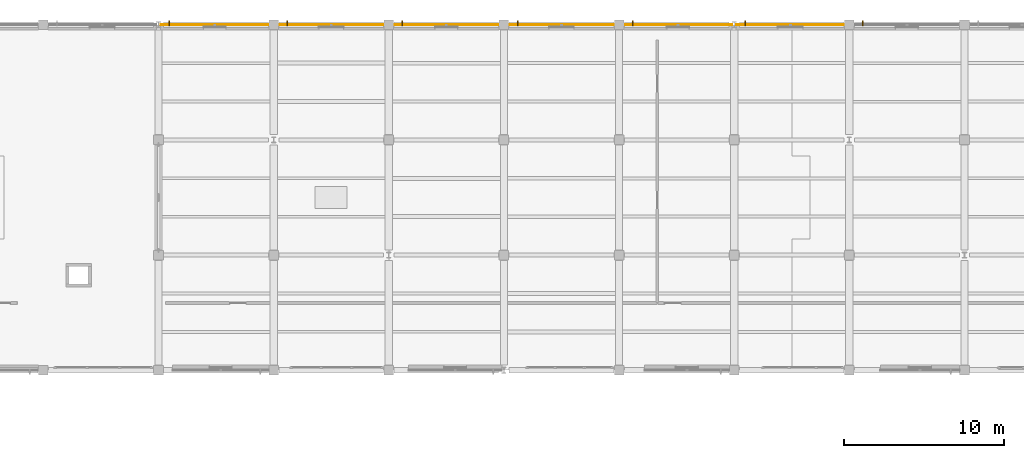
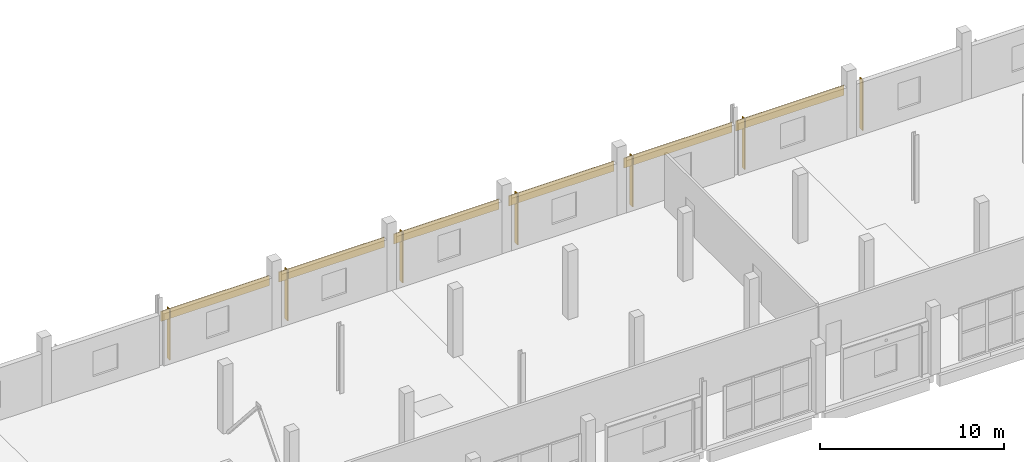
# One storey, part 117 of 123: 7 shading devices, 6 coverings.
"""IFC4 building model written with IfcOpenShell, lengths in metres."""

from ifc_helpers import new_model, si_unit, direction, frame, origin, origin_2d, place, context, subcontext, project, spatial, rectangle, extrude, material, layer, layer_set, type_object, element, save


model = new_model("IFC4")

# Units and contexts
model_context = context("Model", 3, precision=1e-05, world=origin(), true_north=direction((0.0, 1.0)))
body_context = subcontext(model_context, "Body", "Model", "MODEL_VIEW")
ifc_project = project(units=[si_unit("LENGTHUNIT", "METRE"), si_unit("AREAUNIT", "SQUARE_METRE"), si_unit("VOLUMEUNIT", "CUBIC_METRE"), si_unit("PLANEANGLEUNIT", "RADIAN"), si_unit("MASSUNIT", "GRAM", prefix="KILO")], contexts=[model_context])

# Site, building, storey
site_placement = place(None, origin())
site = spatial("IfcSite", under=ifc_project, at=site_placement, CompositionType="ELEMENT")
building_placement = place(site_placement, origin())
building = spatial("IfcBuilding", under=site, at=building_placement, Name="Kalmorath City Hall", CompositionType="ELEMENT")
storey_placement = place(building_placement, frame((0.0, 0.0, 10.199951171875)))
storey = spatial("IfcBuildingStorey", under=building, at=storey_placement, Name="L02", CompositionType="ELEMENT", Elevation=10.199951171875)

# Shading devices
ifc_material_1 = material(Name="Bronze anodised aluminium", Category="aluminium")
ifc_layer_1 = layer(ifc_material_1, 0.06005859375)
ifc_layer_set_1 = layer_set([ifc_layer_1], Name="Bronze anodised aluminium")
shading_device_type = type_object("IfcShadingDeviceType", Name="Bronze vertical solar fin 320", PredefinedType="USERDEFINED", material=ifc_layer_set_1)
shading_device_1_placement = place(storey_placement, frame((65.47802734375, 115.300048828125, 0.050048828125), z_axis=(0.0, 0.0, 1.0), x_axis=(1.0, 0.0, 0.0)))
element("IfcShadingDevice", 1, at=shading_device_1_placement, inside=storey, type_object=shading_device_type, Name="L02 bronze solar fin #230", ObjectType="FIN", PredefinedType="USERDEFINED", context=body_context, shape_type="SweptSolid", body=[
    extrude(rectangle(XDim=0.06005859375, YDim=0.320068359375, at=origin_2d()), origin(), (0.0, 0.0, 1.0), 3.35107421875),
])
for number, where, z_axis, x_axis, name in (
    (2, (72.85107421875, 115.300048828125, 0.050048828125), (0.0, 0.0, 1.0), (1.0, 0.0, 0.0), "L02 bronze solar fin #231"),
    (3, (80.051025390625, 115.300048828125, 0.050048828125), (0.0, 0.0, 1.0), (1.0, 0.0, 0.0), "L02 bronze solar fin #232"),
    (4, (87.2509765625, 115.300048828125, 0.050048828125), (0.0, 0.0, 1.0), (1.0, 0.0, 0.0), "L02 bronze solar fin #233"),
):
    element("IfcShadingDevice", number, at=place(storey_placement, frame(where, z_axis=z_axis, x_axis=x_axis)), inside=storey, type_object=shading_device_type, Name=name, ObjectType="FIN", PredefinedType="USERDEFINED", context=body_context, shape_type="SweptSolid", body=[
        extrude(rectangle(XDim=0.06005859375, YDim=0.320068359375, at=origin_2d()), origin(), (0.0, 0.0, 1.0), 3.37109375),
    ])
for number, where, z_axis, x_axis, name in (
    (5, (94.450927734375, 115.300048828125, 0.050048828125), (0.0, 0.0, 1.0), (1.0, 0.0, 0.0), "L02 bronze solar fin #234"),
    (6, (101.47802734375, 115.300048828125, 0.050048828125), (0.0, 0.0, 1.0), (1.0, 0.0, 0.0), "L02 bronze solar fin #235"),
):
    element("IfcShadingDevice", number, at=place(storey_placement, frame(where, z_axis=z_axis, x_axis=x_axis)), inside=storey, type_object=shading_device_type, Name=name, ObjectType="FIN", PredefinedType="USERDEFINED", context=body_context, shape_type="SweptSolid", body=[
        extrude(rectangle(XDim=0.06005859375, YDim=0.320068359375, at=origin_2d()), origin(), (0.0, 0.0, 1.0), 3.35107421875),
    ])
shading_device_2_placement = place(storey_placement, frame((108.85107421875, 115.300048828125, 0.050048828125), z_axis=(0.0, 0.0, 1.0), x_axis=(1.0, 0.0, 0.0)))
element("IfcShadingDevice", 7, at=shading_device_2_placement, inside=storey, type_object=shading_device_type, Name="L02 bronze solar fin #236", ObjectType="FIN", PredefinedType="USERDEFINED", context=body_context, shape_type="SweptSolid", body=[
    extrude(rectangle(XDim=0.06005859375, YDim=0.320068359375, at=origin_2d()), origin(), (0.0, 0.0, 1.0), 3.37109375),
])

# Coverings
ifc_material_2 = material(Name="Volcanic basalt stone cladding", Category="masonry")
ifc_layer_2 = layer(ifc_material_2, 0.06005859375)
ifc_layer_set_2 = layer_set([ifc_layer_2], Name="Volcanic basalt stone cladding")
covering_type = type_object("IfcCoveringType", Name="Volcanic basalt stone rainscreen cladding", PredefinedType="CLADDING", material=ifc_layer_set_2)
covering_placement = place(storey_placement, frame((68.3134765625, 115.205078125, 2.776123046875), z_axis=(0.0, 0.0, 1.0), x_axis=(1.0, 0.0, 0.0)))
element("IfcCovering", 8, at=covering_placement, inside=storey, type_object=covering_type, Name="L02 basalt spandrel cladding #44", PredefinedType="CLADDING", context=body_context, shape_type="SweptSolid", body=[
    extrude(rectangle(XDim=6.77099609375, YDim=0.06005859375, at=origin_2d()), origin(), (0.0, 0.0, 1.0), 0.64990234375),
])
for number, where, z_axis, x_axis, name in (
    (9, (75.60009765625, 115.205078125, 2.796142578125), (0.0, 0.0, 1.0), (1.0, 0.0, 0.0), "L02 basalt spandrel cladding #45"),
    (10, (82.800048828125, 115.205078125, 2.796142578125), (0.0, 0.0, 1.0), (1.0, 0.0, 0.0), "L02 basalt spandrel cladding #46"),
    (11, (90.0, 115.205078125, 2.796142578125), (0.0, 0.0, 1.0), (1.0, 0.0, 0.0), "L02 basalt spandrel cladding #47"),
):
    element("IfcCovering", number, at=place(storey_placement, frame(where, z_axis=z_axis, x_axis=x_axis)), inside=storey, type_object=covering_type, Name=name, PredefinedType="CLADDING", context=body_context, shape_type="SweptSolid", body=[
        extrude(rectangle(XDim=6.597900390625, YDim=0.06005859375, at=origin_2d()), origin(), (0.0, 0.0, 1.0), 0.64990234375),
    ])
for number, where, z_axis, x_axis, name in (
    (12, (97.28662109375, 115.205078125, 2.776123046875), (0.0, 0.0, 1.0), (1.0, 0.0, 0.0), "L02 basalt spandrel cladding #48"),
    (13, (104.3134765625, 115.205078125, 2.776123046875), (0.0, 0.0, 1.0), (1.0, 0.0, 0.0), "L02 basalt spandrel cladding #49"),
):
    element("IfcCovering", number, at=place(storey_placement, frame(where, z_axis=z_axis, x_axis=x_axis)), inside=storey, type_object=covering_type, Name=name, PredefinedType="CLADDING", context=body_context, shape_type="SweptSolid", body=[
        extrude(rectangle(XDim=6.77099609375, YDim=0.06005859375, at=origin_2d()), origin(), (0.0, 0.0, 1.0), 0.64990234375),
    ])

save(model, "model.ifc")
